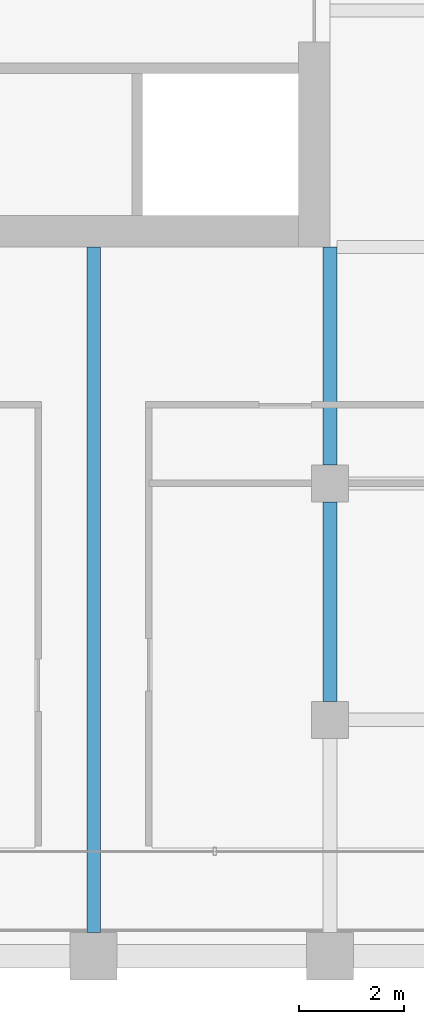
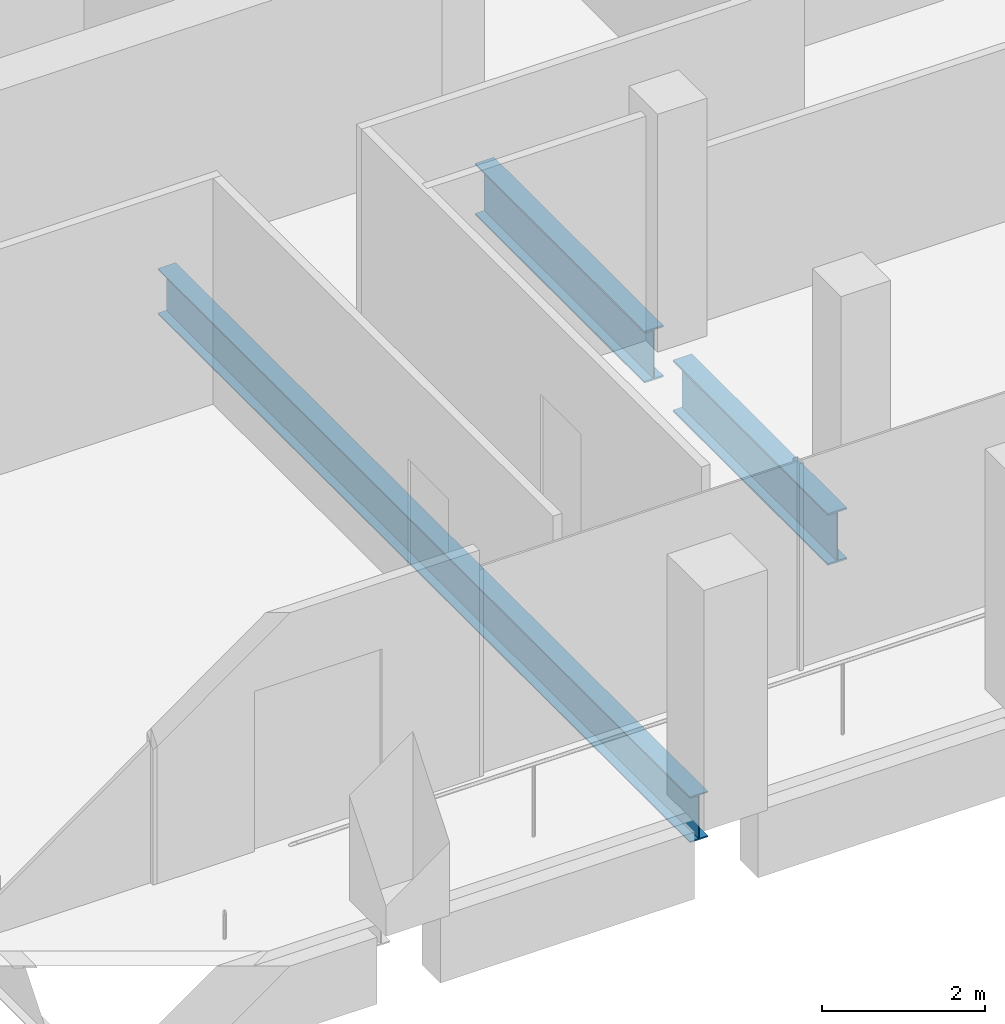
# One storey, part 10 of 40: 3 beams.
"""IFC4 building model written with IfcOpenShell, lengths in metres."""

from ifc_helpers import new_model, si_unit, direction, frame, origin, origin_2d, place, context, subcontext, project, spatial, i_section, extrude, material, material_profile, profile_set, type_object, element, save


model = new_model("IFC4")

# Units and contexts
model_context = context("Model", 3, precision=1e-05, world=origin(), true_north=direction((0.0, 1.0)))
body_context = subcontext(model_context, "Body", "Model", "MODEL_VIEW")
ifc_project = project(units=[si_unit("LENGTHUNIT", "METRE"), si_unit("AREAUNIT", "SQUARE_METRE"), si_unit("VOLUMEUNIT", "CUBIC_METRE"), si_unit("PLANEANGLEUNIT", "RADIAN"), si_unit("MASSUNIT", "GRAM", prefix="KILO")], contexts=[model_context])

# Site, building, storey
site_placement = place(None, origin())
site = spatial("IfcSite", under=ifc_project, at=site_placement, CompositionType="ELEMENT")
building_placement = place(site_placement, origin())
building = spatial("IfcBuilding", under=site, at=building_placement, Name="Altepetl Exchange Towers", CompositionType="ELEMENT")
storey_placement = place(building_placement, frame((0.0, 0.0, 187.0)))
storey = spatial("IfcBuildingStorey", under=building, at=storey_placement, Name="L47", CompositionType="ELEMENT", Elevation=187.0)

# Beams
ifc_material = material(Name="Steel S355", Category="steel")
ifc_material_profile_1 = material_profile(ifc_material, i_section(OverallWidth=0.25390625, OverallDepth=0.68408203125, WebThickness=0.012451171875, FlangeThickness=0.018798828125, at=origin_2d()), Name="W27X94")
ifc_profile_set_1 = profile_set([ifc_material_profile_1], Name="Steel S355")
beam_type_1 = type_object("IfcBeamType", Name="Floor beam W27X94", PredefinedType="BEAM", material=ifc_profile_set_1)
beam_1_placement = place(storey_placement, frame((54.0, 27.449951171875, -0.491943359375), z_axis=(0.0, 1.0, 0.0), x_axis=(-1.0, 0.0, 0.0)))
element("IfcBeam", 1, at=beam_1_placement, inside=storey, type_object=beam_type_1, Name="bm:A:L47:017", PredefinedType="BEAM", context=body_context, shape_type="SweptSolid", body=[
    extrude(i_section(OverallWidth=0.25390625, OverallDepth=0.68408203125, WebThickness=0.012451171875, FlangeThickness=0.018798828125, at=origin_2d()), origin(), (0.0, 0.0, 1.0), 13.050048828125),
])
ifc_material_profile_2 = material_profile(ifc_material, i_section(OverallWidth=0.26806640625, OverallDepth=0.77392578125, WebThickness=0.015380859375, FlangeThickness=0.025390625, at=origin_2d()), Name="W30X132")
ifc_profile_set_2 = profile_set([ifc_material_profile_2], Name="Steel S355")
beam_type_2 = type_object("IfcBeamType", Name="Girder W30X132", PredefinedType="BEAM", material=ifc_profile_set_2)
beam_2_placement = place(storey_placement, frame((58.5, 40.5, -0.537109375), z_axis=(0.0, -1.0, 0.0), x_axis=(1.0, 0.0, 0.0)))
element("IfcBeam", 2, at=beam_2_placement, inside=storey, type_object=beam_type_2, Name="gd:A:L47:003", PredefinedType="BEAM", context=body_context, shape_type="SweptSolid", body=[
    extrude(i_section(OverallWidth=0.26806640625, OverallDepth=0.77392578125, WebThickness=0.015380859375, FlangeThickness=0.025390625, at=origin_2d()), origin(), (0.0, 0.0, 1.0), 4.14990234375),
])
beam_3_placement = place(storey_placement, frame((58.5, 35.64990234375, -0.537109375), z_axis=(0.0, -1.0, 0.0), x_axis=(1.0, 0.0, 0.0)))
element("IfcBeam", 3, at=beam_3_placement, inside=storey, type_object=beam_type_2, Name="gd:A:L47:004", PredefinedType="BEAM", context=body_context, shape_type="SweptSolid", body=[
    extrude(i_section(OverallWidth=0.26806640625, OverallDepth=0.77392578125, WebThickness=0.015380859375, FlangeThickness=0.025390625, at=origin_2d()), origin(), (0.0, 0.0, 1.0), 3.7998046875),
])

save(model, "model.ifc")
